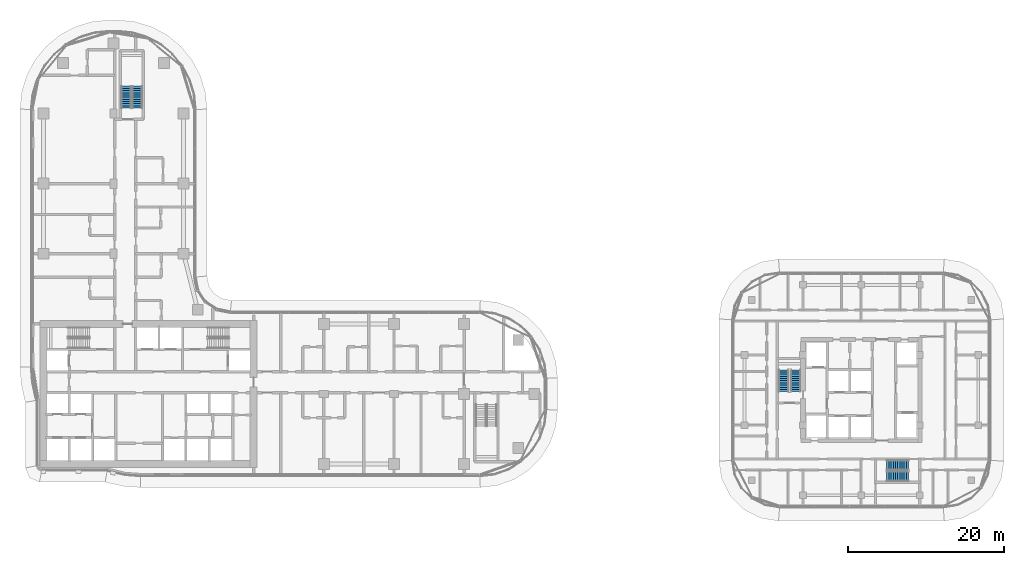
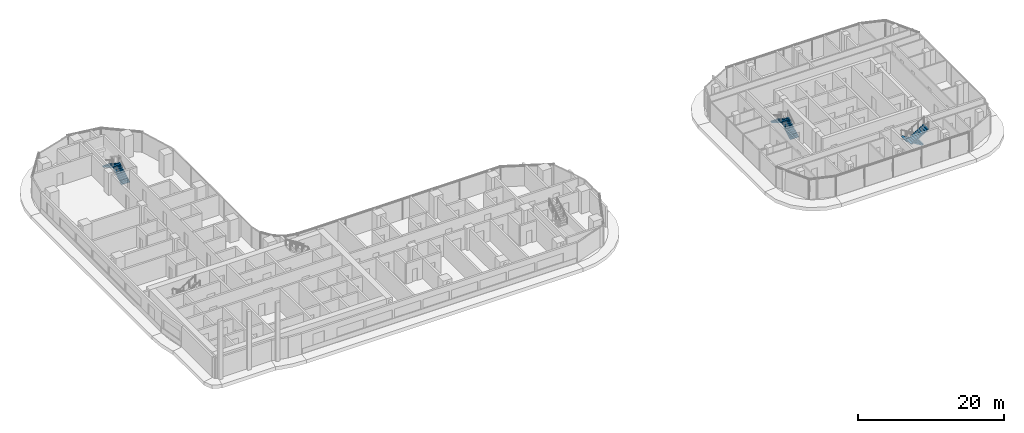
# One storey, part 27 of 36: 6 stair flights, 3 elements without a shape of their own.
"""IFC4 building model written with IfcOpenShell, lengths in metres."""

from ifc_helpers import new_model, si_unit, direction, frame, origin, place, context, subcontext, project, spatial, triangles, source, transform, mapped, material, type_object, element, aggregate, save


model = new_model("IFC4")

# Units and contexts
model_context = context("Model", 3, precision=1e-05, world=origin(), true_north=direction((0.0, 1.0)))
body_context = subcontext(model_context, "Body", "Model", "MODEL_VIEW")
ifc_project = project(units=[si_unit("LENGTHUNIT", "METRE"), si_unit("AREAUNIT", "SQUARE_METRE"), si_unit("VOLUMEUNIT", "CUBIC_METRE"), si_unit("PLANEANGLEUNIT", "RADIAN"), si_unit("MASSUNIT", "GRAM", prefix="KILO")], contexts=[model_context])

# Site, building, storey
site_placement = place(None, origin())
site = spatial("IfcSite", under=ifc_project, at=site_placement, CompositionType="ELEMENT")
building_placement = place(site_placement, origin())
building = spatial("IfcBuilding", under=site, at=building_placement, Name="Ogive Portal Towers", CompositionType="ELEMENT")
storey_placement = place(building_placement, frame((0.0, 0.0, 70.5)))
storey = spatial("IfcBuildingStorey", under=building, at=storey_placement, Name="L16", CompositionType="ELEMENT", Elevation=70.5)

# Stair, stair flights
ifc_material = material(Name="Concrete C40/50", Category="concrete")
stair_type = type_object("IfcStairType", Name="INT-STAIR", PredefinedType="HALF_TURN_STAIR", material=ifc_material)
stair_1_placement = place(storey_placement, origin())
stair_1 = element("IfcStair", 1, at=stair_1_placement, inside=storey, type_object=stair_type, Name="L16 Exit Stair ST-A3", PredefinedType="HALF_TURN_STAIR")
stair_flight_type = type_object("IfcStairFlightType", Name="INT-FLIGHT", PredefinedType="STRAIGHT", material=ifc_material)
shared_shape = source(origin(), body_context, "Body", "Tessellation", [
    triangles([(0.0, -0.650146484375, 0.0), (0.0, -0.376220703125, 0.0), (0.0, -0.192626953125, 0.0), (0.0, -0.081298828125, 0.0), (0.0, -0.024169921875, 0.0), (0.0, -0.003173828125, 0.0), (0.0, 0.0, 0.0), (0.0, 0.0029296875, 0.0), (0.0, 0.02392578125, 0.0), (0.0, 0.0810546875, 0.0), (0.0, 0.1923828125, 0.0), (0.0, 0.3759765625, 0.0), (0.0, 0.64990234375, 0.0), (0.0, -0.650146484375, 0.168212890625), (0.0, -0.376220703125, 0.168212890625), (0.0, -0.192626953125, 0.168212890625), (0.0, -0.081298828125, 0.168212890625), (0.0, -0.024169921875, 0.168212890625), (0.0, -0.003173828125, 0.168212890625), (0.0, 0.0, 0.168212890625), (0.0, 0.0029296875, 0.168212890625), (0.0, 0.02392578125, 0.168212890625), (0.0, 0.0810546875, 0.168212890625), (0.0, 0.1923828125, 0.168212890625), (0.0, 0.3759765625, 0.168212890625), (0.0, 0.64990234375, 0.168212890625), (0.280029296875, -0.650146484375, 0.168212890625), (0.280029296875, -0.376220703125, 0.168212890625), (0.280029296875, -0.192626953125, 0.168212890625), (0.280029296875, -0.081298828125, 0.168212890625), (0.280029296875, -0.024169921875, 0.168212890625), (0.280029296875, -0.003173828125, 0.168212890625), (0.280029296875, 0.0, 0.168212890625), (0.280029296875, 0.0029296875, 0.168212890625), (0.280029296875, 0.02392578125, 0.168212890625), (0.280029296875, 0.0810546875, 0.168212890625), (0.280029296875, 0.1923828125, 0.168212890625), (0.280029296875, 0.3759765625, 0.168212890625), (0.280029296875, 0.64990234375, 0.168212890625), (0.280029296875, -0.650146484375, 0.33642578125), (0.280029296875, -0.376220703125, 0.33642578125), (0.280029296875, -0.192626953125, 0.33642578125), (0.280029296875, -0.081298828125, 0.33642578125), (0.280029296875, -0.024169921875, 0.33642578125), (0.280029296875, -0.003173828125, 0.33642578125), (0.280029296875, 0.0, 0.33642578125), (0.280029296875, 0.0029296875, 0.33642578125), (0.280029296875, 0.02392578125, 0.33642578125), (0.280029296875, 0.0810546875, 0.33642578125), (0.280029296875, 0.1923828125, 0.33642578125), (0.280029296875, 0.3759765625, 0.33642578125), (0.280029296875, 0.64990234375, 0.33642578125), (0.56005859375, -0.650146484375, 0.33642578125), (0.56005859375, -0.376220703125, 0.33642578125), (0.56005859375, -0.192626953125, 0.33642578125), (0.56005859375, -0.081298828125, 0.33642578125), (0.56005859375, -0.024169921875, 0.33642578125), (0.56005859375, -0.003173828125, 0.33642578125), (0.56005859375, 0.0, 0.33642578125), (0.56005859375, 0.0029296875, 0.33642578125), (0.56005859375, 0.02392578125, 0.33642578125), (0.56005859375, 0.0810546875, 0.33642578125), (0.56005859375, 0.1923828125, 0.33642578125), (0.56005859375, 0.3759765625, 0.33642578125), (0.56005859375, 0.64990234375, 0.33642578125), (0.56005859375, -0.650146484375, 0.504638671875), (0.56005859375, -0.376220703125, 0.504638671875), (0.56005859375, -0.192626953125, 0.504638671875), (0.56005859375, -0.081298828125, 0.504638671875), (0.56005859375, -0.024169921875, 0.504638671875), (0.56005859375, -0.003173828125, 0.504638671875), (0.56005859375, 0.0, 0.504638671875), (0.56005859375, 0.0029296875, 0.504638671875), (0.56005859375, 0.02392578125, 0.504638671875), (0.56005859375, 0.0810546875, 0.504638671875), (0.56005859375, 0.1923828125, 0.504638671875), (0.56005859375, 0.3759765625, 0.504638671875), (0.56005859375, 0.64990234375, 0.504638671875), (0.840087890625, -0.650146484375, 0.504638671875), (0.840087890625, -0.376220703125, 0.504638671875), (0.840087890625, -0.192626953125, 0.504638671875), (0.840087890625, -0.081298828125, 0.504638671875), (0.840087890625, -0.024169921875, 0.504638671875), (0.840087890625, -0.003173828125, 0.504638671875), (0.840087890625, 0.0, 0.504638671875), (0.840087890625, 0.0029296875, 0.504638671875), (0.840087890625, 0.02392578125, 0.504638671875), (0.840087890625, 0.0810546875, 0.504638671875), (0.840087890625, 0.1923828125, 0.504638671875), (0.840087890625, 0.3759765625, 0.504638671875), (0.840087890625, 0.64990234375, 0.504638671875), (0.840087890625, -0.650146484375, 0.672607421875), (0.840087890625, -0.376220703125, 0.672607421875), (0.840087890625, -0.192626953125, 0.672607421875), (0.840087890625, -0.081298828125, 0.672607421875), (0.840087890625, -0.024169921875, 0.672607421875), (0.840087890625, -0.003173828125, 0.672607421875), (0.840087890625, 0.0, 0.672607421875), (0.840087890625, 0.0029296875, 0.672607421875), (0.840087890625, 0.02392578125, 0.672607421875), (0.840087890625, 0.0810546875, 0.672607421875), (0.840087890625, 0.1923828125, 0.672607421875), (0.840087890625, 0.3759765625, 0.672607421875), (0.840087890625, 0.64990234375, 0.672607421875), (1.1201171875, -0.650146484375, 0.672607421875), (1.1201171875, -0.376220703125, 0.672607421875), (1.1201171875, -0.192626953125, 0.672607421875), (1.1201171875, -0.081298828125, 0.672607421875), (1.1201171875, -0.024169921875, 0.672607421875), (1.1201171875, -0.003173828125, 0.672607421875), (1.1201171875, 0.0, 0.672607421875), (1.1201171875, 0.0029296875, 0.672607421875), (1.1201171875, 0.02392578125, 0.672607421875), (1.1201171875, 0.0810546875, 0.672607421875), (1.1201171875, 0.1923828125, 0.672607421875), (1.1201171875, 0.3759765625, 0.672607421875), (1.1201171875, 0.64990234375, 0.672607421875), (1.1201171875, -0.650146484375, 0.8408203125), (1.1201171875, -0.376220703125, 0.8408203125), (1.1201171875, -0.192626953125, 0.8408203125), (1.1201171875, -0.081298828125, 0.8408203125), (1.1201171875, -0.024169921875, 0.8408203125), (1.1201171875, -0.003173828125, 0.8408203125), (1.1201171875, 0.0, 0.8408203125), (1.1201171875, 0.0029296875, 0.8408203125), (1.1201171875, 0.02392578125, 0.8408203125), (1.1201171875, 0.0810546875, 0.8408203125), (1.1201171875, 0.1923828125, 0.8408203125), (1.1201171875, 0.3759765625, 0.8408203125), (1.1201171875, 0.64990234375, 0.8408203125), (1.39990234375, -0.650146484375, 0.8408203125), (1.39990234375, -0.376220703125, 0.8408203125), (1.39990234375, -0.192626953125, 0.8408203125), (1.39990234375, -0.081298828125, 0.8408203125), (1.39990234375, -0.024169921875, 0.8408203125), (1.39990234375, -0.003173828125, 0.8408203125), (1.39990234375, 0.0, 0.8408203125), (1.39990234375, 0.0029296875, 0.8408203125), (1.39990234375, 0.02392578125, 0.8408203125), (1.39990234375, 0.0810546875, 0.8408203125), (1.39990234375, 0.1923828125, 0.8408203125), (1.39990234375, 0.3759765625, 0.8408203125), (1.39990234375, 0.64990234375, 0.8408203125), (1.39990234375, -0.650146484375, 1.009033203125), (1.39990234375, -0.376220703125, 1.009033203125), (1.39990234375, -0.192626953125, 1.009033203125), (1.39990234375, -0.081298828125, 1.009033203125), (1.39990234375, -0.024169921875, 1.009033203125), (1.39990234375, -0.003173828125, 1.009033203125), (1.39990234375, 0.0, 1.009033203125), (1.39990234375, 0.0029296875, 1.009033203125), (1.39990234375, 0.02392578125, 1.009033203125), (1.39990234375, 0.0810546875, 1.009033203125), (1.39990234375, 0.1923828125, 1.009033203125), (1.39990234375, 0.3759765625, 1.009033203125), (1.39990234375, 0.64990234375, 1.009033203125), (1.679931640625, -0.650146484375, 1.009033203125), (1.679931640625, -0.376220703125, 1.009033203125), (1.679931640625, -0.192626953125, 1.009033203125), (1.679931640625, -0.081298828125, 1.009033203125), (1.679931640625, -0.024169921875, 1.009033203125), (1.679931640625, -0.003173828125, 1.009033203125), (1.679931640625, 0.0, 1.009033203125), (1.679931640625, 0.0029296875, 1.009033203125), (1.679931640625, 0.02392578125, 1.009033203125), (1.679931640625, 0.0810546875, 1.009033203125), (1.679931640625, 0.1923828125, 1.009033203125), (1.679931640625, 0.3759765625, 1.009033203125), (1.679931640625, 0.64990234375, 1.009033203125), (1.679931640625, -0.650146484375, 1.17724609375), (1.679931640625, -0.376220703125, 1.17724609375), (1.679931640625, -0.192626953125, 1.17724609375), (1.679931640625, -0.081298828125, 1.17724609375), (1.679931640625, -0.024169921875, 1.17724609375), (1.679931640625, -0.003173828125, 1.17724609375), (1.679931640625, 0.0, 1.17724609375), (1.679931640625, 0.0029296875, 1.17724609375), (1.679931640625, 0.02392578125, 1.17724609375), (1.679931640625, 0.0810546875, 1.17724609375), (1.679931640625, 0.1923828125, 1.17724609375), (1.679931640625, 0.3759765625, 1.17724609375), (1.679931640625, 0.64990234375, 1.17724609375), (1.9599609375, -0.650146484375, 1.17724609375), (1.9599609375, -0.376220703125, 1.17724609375), (1.9599609375, -0.192626953125, 1.17724609375), (1.9599609375, -0.081298828125, 1.17724609375), (1.9599609375, -0.024169921875, 1.17724609375), (1.9599609375, -0.003173828125, 1.17724609375), (1.9599609375, 0.0, 1.17724609375), (1.9599609375, 0.0029296875, 1.17724609375), (1.9599609375, 0.02392578125, 1.17724609375), (1.9599609375, 0.0810546875, 1.17724609375), (1.9599609375, 0.1923828125, 1.17724609375), (1.9599609375, 0.3759765625, 1.17724609375), (1.9599609375, 0.64990234375, 1.17724609375), (1.9599609375, -0.650146484375, 1.345458984375), (1.9599609375, -0.376220703125, 1.345458984375), (1.9599609375, -0.192626953125, 1.345458984375), (1.9599609375, -0.081298828125, 1.345458984375), (1.9599609375, -0.024169921875, 1.345458984375), (1.9599609375, -0.003173828125, 1.345458984375), (1.9599609375, 0.0, 1.345458984375), (1.9599609375, 0.0029296875, 1.345458984375), (1.9599609375, 0.02392578125, 1.345458984375), (1.9599609375, 0.0810546875, 1.345458984375), (1.9599609375, 0.1923828125, 1.345458984375), (1.9599609375, 0.3759765625, 1.345458984375), (1.9599609375, 0.64990234375, 1.345458984375), (2.239990234375, -0.650146484375, 1.345458984375), (2.239990234375, -0.376220703125, 1.345458984375), (2.239990234375, -0.192626953125, 1.345458984375), (2.239990234375, -0.081298828125, 1.345458984375), (2.239990234375, -0.024169921875, 1.345458984375), (2.239990234375, -0.003173828125, 1.345458984375), (2.239990234375, 0.0, 1.345458984375), (2.239990234375, 0.0029296875, 1.345458984375), (2.239990234375, 0.02392578125, 1.345458984375), (2.239990234375, 0.0810546875, 1.345458984375), (2.239990234375, 0.1923828125, 1.345458984375), (2.239990234375, 0.3759765625, 1.345458984375), (2.239990234375, 0.64990234375, 1.345458984375), (2.239990234375, -0.650146484375, 1.513671875), (2.239990234375, -0.376220703125, 1.513671875), (2.239990234375, -0.192626953125, 1.513671875), (2.239990234375, -0.081298828125, 1.513671875), (2.239990234375, -0.024169921875, 1.513671875), (2.239990234375, -0.003173828125, 1.513671875), (2.239990234375, 0.0, 1.513671875), (2.239990234375, 0.0029296875, 1.513671875), (2.239990234375, 0.02392578125, 1.513671875), (2.239990234375, 0.0810546875, 1.513671875), (2.239990234375, 0.1923828125, 1.513671875), (2.239990234375, 0.3759765625, 1.513671875), (2.239990234375, 0.64990234375, 1.513671875), (2.52001953125, -0.650146484375, 1.513671875), (2.52001953125, -0.376220703125, 1.513671875), (2.52001953125, -0.192626953125, 1.513671875), (2.52001953125, -0.081298828125, 1.513671875), (2.52001953125, -0.024169921875, 1.513671875), (2.52001953125, -0.003173828125, 1.513671875), (2.52001953125, 0.0, 1.513671875), (2.52001953125, 0.0029296875, 1.513671875), (2.52001953125, 0.02392578125, 1.513671875), (2.52001953125, 0.0810546875, 1.513671875), (2.52001953125, 0.1923828125, 1.513671875), (2.52001953125, 0.3759765625, 1.513671875), (2.52001953125, 0.64990234375, 1.513671875), (2.52001953125, -0.650146484375, 1.681884765625), (2.52001953125, -0.376220703125, 1.681884765625), (2.52001953125, -0.192626953125, 1.681884765625), (2.52001953125, -0.081298828125, 1.681884765625), (2.52001953125, -0.024169921875, 1.681884765625), (2.52001953125, -0.003173828125, 1.681884765625), (2.52001953125, 0.0, 1.681884765625), (2.52001953125, 0.0029296875, 1.681884765625), (2.52001953125, 0.02392578125, 1.681884765625), (2.52001953125, 0.0810546875, 1.681884765625), (2.52001953125, 0.1923828125, 1.681884765625), (2.52001953125, 0.3759765625, 1.681884765625), (2.52001953125, 0.64990234375, 1.681884765625), (2.800048828125, -0.650146484375, 1.681884765625), (2.800048828125, -0.376220703125, 1.681884765625), (2.800048828125, -0.192626953125, 1.681884765625), (2.800048828125, -0.081298828125, 1.681884765625), (2.800048828125, -0.024169921875, 1.681884765625), (2.800048828125, -0.003173828125, 1.681884765625), (2.800048828125, 0.0, 1.681884765625), (2.800048828125, 0.0029296875, 1.681884765625), (2.800048828125, 0.02392578125, 1.681884765625), (2.800048828125, 0.0810546875, 1.681884765625), (2.800048828125, 0.1923828125, 1.681884765625), (2.800048828125, 0.3759765625, 1.681884765625), (2.800048828125, 0.64990234375, 1.681884765625), (2.800048828125, -0.650146484375, 1.5068359375), (2.800048828125, -0.376220703125, 1.5068359375), (2.800048828125, -0.192626953125, 1.5068359375), (2.800048828125, -0.081298828125, 1.5068359375), (2.800048828125, -0.024169921875, 1.5068359375), (2.800048828125, -0.003173828125, 1.5068359375), (2.800048828125, 0.0, 1.5068359375), (2.800048828125, 0.0029296875, 1.5068359375), (2.800048828125, 0.02392578125, 1.5068359375), (2.800048828125, 0.0810546875, 1.5068359375), (2.800048828125, 0.1923828125, 1.5068359375), (2.800048828125, 0.3759765625, 1.5068359375), (2.800048828125, 0.64990234375, 1.5068359375), (0.291015625, -0.650146484375, 0.0), (0.291015625, -0.376220703125, 0.0), (0.291015625, -0.192626953125, 0.0), (0.291015625, -0.081298828125, 0.0), (0.291015625, -0.024169921875, 0.0), (0.291015625, -0.003173828125, 0.0), (0.291015625, 0.0, 0.0), (0.291015625, 0.0029296875, 0.0), (0.291015625, 0.02392578125, 0.0), (0.291015625, 0.0810546875, 0.0), (0.291015625, 0.1923828125, 0.0), (0.291015625, 0.3759765625, 0.0), (0.291015625, 0.64990234375, 0.0)], [[1, 14, 15], [1, 15, 2], [2, 15, 16], [2, 16, 3], [3, 16, 17], [3, 17, 4], [4, 17, 18], [4, 18, 5], [5, 18, 19], [5, 19, 6], [6, 19, 20], [6, 20, 7], [7, 20, 21], [7, 21, 8], [8, 21, 22], [8, 22, 9], [9, 22, 23], [9, 23, 10], [10, 23, 24], [10, 24, 11], [11, 24, 25], [11, 25, 12], [12, 25, 26], [12, 26, 13], [14, 27, 28], [14, 28, 15], [15, 28, 29], [15, 29, 16], [16, 29, 30], [16, 30, 17], [17, 30, 31], [17, 31, 18], [18, 31, 32], [18, 32, 19], [19, 32, 33], [19, 33, 20], [20, 33, 34], [20, 34, 21], [21, 34, 35], [21, 35, 22], [22, 35, 36], [22, 36, 23], [23, 36, 37], [23, 37, 24], [24, 37, 38], [24, 38, 25], [25, 38, 39], [25, 39, 26], [27, 40, 41], [27, 41, 28], [28, 41, 42], [28, 42, 29], [29, 42, 43], [29, 43, 30], [30, 43, 44], [30, 44, 31], [31, 44, 45], [31, 45, 32], [32, 45, 46], [32, 46, 33], [33, 46, 47], [33, 47, 34], [34, 47, 48], [34, 48, 35], [35, 48, 49], [35, 49, 36], [36, 49, 50], [36, 50, 37], [37, 50, 51], [37, 51, 38], [38, 51, 52], [38, 52, 39], [40, 53, 54], [40, 54, 41], [41, 54, 55], [41, 55, 42], [42, 55, 56], [42, 56, 43], [43, 56, 57], [43, 57, 44], [44, 57, 58], [44, 58, 45], [45, 58, 59], [45, 59, 46], [46, 59, 60], [46, 60, 47], [47, 60, 61], [47, 61, 48], [48, 61, 62], [48, 62, 49], [49, 62, 63], [49, 63, 50], [50, 63, 64], [50, 64, 51], [51, 64, 65], [51, 65, 52], [53, 66, 67], [53, 67, 54], [54, 67, 68], [54, 68, 55], [55, 68, 69], [55, 69, 56], [56, 69, 70], [56, 70, 57], [57, 70, 71], [57, 71, 58], [58, 71, 72], [58, 72, 59], [59, 72, 73], [59, 73, 60], [60, 73, 74], [60, 74, 61], [61, 74, 75], [61, 75, 62], [62, 75, 76], [62, 76, 63], [63, 76, 77], [63, 77, 64], [64, 77, 78], [64, 78, 65], [66, 79, 80], [66, 80, 67], [67, 80, 81], [67, 81, 68], [68, 81, 82], [68, 82, 69], [69, 82, 83], [69, 83, 70], [70, 83, 84], [70, 84, 71], [71, 84, 85], [71, 85, 72], [72, 85, 86], [72, 86, 73], [73, 86, 87], [73, 87, 74], [74, 87, 88], [74, 88, 75], [75, 88, 89], [75, 89, 76], [76, 89, 90], [76, 90, 77], [77, 90, 91], [77, 91, 78], [79, 92, 93], [79, 93, 80], [80, 93, 94], [80, 94, 81], [81, 94, 95], [81, 95, 82], [82, 95, 96], [82, 96, 83], [83, 96, 97], [83, 97, 84], [84, 97, 98], [84, 98, 85], [85, 98, 99], [85, 99, 86], [86, 99, 100], [86, 100, 87], [87, 100, 101], [87, 101, 88], [88, 101, 102], [88, 102, 89], [89, 102, 103], [89, 103, 90], [90, 103, 104], [90, 104, 91], [92, 105, 106], [92, 106, 93], [93, 106, 107], [93, 107, 94], [94, 107, 108], [94, 108, 95], [95, 108, 109], [95, 109, 96], [96, 109, 110], [96, 110, 97], [97, 110, 111], [97, 111, 98], [98, 111, 112], [98, 112, 99], [99, 112, 113], [99, 113, 100], [100, 113, 114], [100, 114, 101], [101, 114, 115], [101, 115, 102], [102, 115, 116], [102, 116, 103], [103, 116, 117], [103, 117, 104], [105, 118, 119], [105, 119, 106], [106, 119, 120], [106, 120, 107], [107, 120, 121], [107, 121, 108], [108, 121, 122], [108, 122, 109], [109, 122, 123], [109, 123, 110], [110, 123, 124], [110, 124, 111], [111, 124, 125], [111, 125, 112], [112, 125, 126], [112, 126, 113], [113, 126, 127], [113, 127, 114], [114, 127, 128], [114, 128, 115], [115, 128, 129], [115, 129, 116], [116, 129, 130], [116, 130, 117], [118, 131, 132], [118, 132, 119], [119, 132, 133], [119, 133, 120], [120, 133, 134], [120, 134, 121], [121, 134, 135], [121, 135, 122], [122, 135, 136], [122, 136, 123], [123, 136, 137], [123, 137, 124], [124, 137, 138], [124, 138, 125], [125, 138, 139], [125, 139, 126], [126, 139, 140], [126, 140, 127], [127, 140, 141], [127, 141, 128], [128, 141, 142], [128, 142, 129], [129, 142, 143], [129, 143, 130], [131, 144, 145], [131, 145, 132], [132, 145, 146], [132, 146, 133], [133, 146, 147], [133, 147, 134], [134, 147, 148], [134, 148, 135], [135, 148, 149], [135, 149, 136], [136, 149, 150], [136, 150, 137], [137, 150, 151], [137, 151, 138], [138, 151, 152], [138, 152, 139], [139, 152, 153], [139, 153, 140], [140, 153, 154], [140, 154, 141], [141, 154, 155], [141, 155, 142], [142, 155, 156], [142, 156, 143], [144, 157, 158], [144, 158, 145], [145, 158, 159], [145, 159, 146], [146, 159, 160], [146, 160, 147], [147, 160, 161], [147, 161, 148], [148, 161, 162], [148, 162, 149], [149, 162, 163], [149, 163, 150], [150, 163, 164], [150, 164, 151], [151, 164, 165], [151, 165, 152], [152, 165, 166], [152, 166, 153], [153, 166, 167], [153, 167, 154], [154, 167, 168], [154, 168, 155], [155, 168, 169], [155, 169, 156], [157, 170, 171], [157, 171, 158], [158, 171, 172], [158, 172, 159], [159, 172, 173], [159, 173, 160], [160, 173, 174], [160, 174, 161], [161, 174, 175], [161, 175, 162], [162, 175, 176], [162, 176, 163], [163, 176, 177], [163, 177, 164], [164, 177, 178], [164, 178, 165], [165, 178, 179], [165, 179, 166], [166, 179, 180], [166, 180, 167], [167, 180, 181], [167, 181, 168], [168, 181, 182], [168, 182, 169], [170, 183, 184], [170, 184, 171], [171, 184, 185], [171, 185, 172], [172, 185, 186], [172, 186, 173], [173, 186, 187], [173, 187, 174], [174, 187, 188], [174, 188, 175], [175, 188, 189], [175, 189, 176], [176, 189, 190], [176, 190, 177], [177, 190, 191], [177, 191, 178], [178, 191, 192], [178, 192, 179], [179, 192, 193], [179, 193, 180], [180, 193, 194], [180, 194, 181], [181, 194, 195], [181, 195, 182], [183, 196, 197], [183, 197, 184], [184, 197, 198], [184, 198, 185], [185, 198, 199], [185, 199, 186], [186, 199, 200], [186, 200, 187], [187, 200, 201], [187, 201, 188], [188, 201, 202], [188, 202, 189], [189, 202, 203], [189, 203, 190], [190, 203, 204], [190, 204, 191], [191, 204, 205], [191, 205, 192], [192, 205, 206], [192, 206, 193], [193, 206, 207], [193, 207, 194], [194, 207, 208], [194, 208, 195], [196, 209, 210], [196, 210, 197], [197, 210, 211], [197, 211, 198], [198, 211, 212], [198, 212, 199], [199, 212, 213], [199, 213, 200], [200, 213, 214], [200, 214, 201], [201, 214, 215], [201, 215, 202], [202, 215, 216], [202, 216, 203], [203, 216, 217], [203, 217, 204], [204, 217, 218], [204, 218, 205], [205, 218, 219], [205, 219, 206], [206, 219, 220], [206, 220, 207], [207, 220, 221], [207, 221, 208], [209, 222, 223], [209, 223, 210], [210, 223, 224], [210, 224, 211], [211, 224, 225], [211, 225, 212], [212, 225, 226], [212, 226, 213], [213, 226, 227], [213, 227, 214], [214, 227, 228], [214, 228, 215], [215, 228, 229], [215, 229, 216], [216, 229, 230], [216, 230, 217], [217, 230, 231], [217, 231, 218], [218, 231, 232], [218, 232, 219], [219, 232, 233], [219, 233, 220], [220, 233, 234], [220, 234, 221], [222, 235, 236], [222, 236, 223], [223, 236, 237], [223, 237, 224], [224, 237, 238], [224, 238, 225], [225, 238, 239], [225, 239, 226], [226, 239, 240], [226, 240, 227], [227, 240, 241], [227, 241, 228], [228, 241, 242], [228, 242, 229], [229, 242, 243], [229, 243, 230], [230, 243, 244], [230, 244, 231], [231, 244, 245], [231, 245, 232], [232, 245, 246], [232, 246, 233], [233, 246, 247], [233, 247, 234], [235, 248, 249], [235, 249, 236], [236, 249, 250], [236, 250, 237], [237, 250, 251], [237, 251, 238], [238, 251, 252], [238, 252, 239], [239, 252, 253], [239, 253, 240], [240, 253, 254], [240, 254, 241], [241, 254, 255], [241, 255, 242], [242, 255, 256], [242, 256, 243], [243, 256, 257], [243, 257, 244], [244, 257, 258], [244, 258, 245], [245, 258, 259], [245, 259, 246], [246, 259, 260], [246, 260, 247], [248, 261, 262], [248, 262, 249], [249, 262, 263], [249, 263, 250], [250, 263, 264], [250, 264, 251], [251, 264, 265], [251, 265, 252], [252, 265, 266], [252, 266, 253], [253, 266, 267], [253, 267, 254], [254, 267, 268], [254, 268, 255], [255, 268, 269], [255, 269, 256], [256, 269, 270], [256, 270, 257], [257, 270, 271], [257, 271, 258], [258, 271, 272], [258, 272, 259], [259, 272, 273], [259, 273, 260], [261, 274, 275], [261, 275, 262], [262, 275, 276], [262, 276, 263], [263, 276, 277], [263, 277, 264], [264, 277, 278], [264, 278, 265], [265, 278, 279], [265, 279, 266], [266, 279, 280], [266, 280, 267], [267, 280, 281], [267, 281, 268], [268, 281, 282], [268, 282, 269], [269, 282, 283], [269, 283, 270], [270, 283, 284], [270, 284, 271], [271, 284, 285], [271, 285, 272], [272, 285, 286], [272, 286, 273], [274, 287, 288], [274, 288, 275], [275, 288, 289], [275, 289, 276], [276, 289, 290], [276, 290, 277], [277, 290, 291], [277, 291, 278], [278, 291, 292], [278, 292, 279], [279, 292, 293], [279, 293, 280], [280, 293, 294], [280, 294, 281], [281, 294, 295], [281, 295, 282], [282, 295, 296], [282, 296, 283], [283, 296, 297], [283, 297, 284], [284, 297, 298], [284, 298, 285], [285, 298, 299], [285, 299, 286], [287, 1, 2], [287, 2, 288], [288, 2, 3], [288, 3, 289], [289, 3, 4], [289, 4, 290], [290, 4, 5], [290, 5, 291], [291, 5, 6], [291, 6, 292], [292, 6, 7], [292, 7, 293], [293, 7, 8], [293, 8, 294], [294, 8, 9], [294, 9, 295], [295, 9, 10], [295, 10, 296], [296, 10, 11], [296, 11, 297], [297, 11, 12], [297, 12, 298], [298, 12, 13], [298, 13, 299], [1, 287, 274], [13, 286, 299], [274, 261, 248], [286, 260, 273], [274, 248, 235], [286, 247, 260], [274, 235, 222], [286, 234, 247], [274, 222, 209], [286, 221, 234], [209, 196, 183], [221, 195, 208], [274, 209, 183], [286, 195, 221], [183, 170, 157], [195, 169, 182], [274, 183, 157], [286, 169, 195], [157, 144, 131], [169, 143, 156], [274, 157, 131], [286, 143, 169], [131, 118, 105], [143, 117, 130], [274, 131, 105], [286, 117, 143], [1, 274, 105], [13, 117, 286], [105, 92, 79], [117, 91, 104], [79, 66, 53], [91, 65, 78], [105, 79, 53], [117, 65, 91], [53, 40, 27], [65, 39, 52], [105, 53, 27], [117, 39, 65], [1, 105, 27], [13, 39, 117], [27, 14, 1], [39, 13, 26]], closed=True),
])
stair_flight_1_placement = place(storey_placement, frame((43.550048828125, 67.199951171875, 0.0), z_axis=(0.0, 0.0, 1.0), x_axis=(0.0, 1.0, 0.0)))
stair_flight_1 = element("IfcStairFlight", 2, at=stair_flight_1_placement, type_object=stair_flight_type, Name="ST-A3 flight 1", NumberOfRisers=11, NumberOfTreads=10, PredefinedType="STRAIGHT", RiserHeight=0.168181818, TreadLength=0.28, context=body_context, shape_type="MappedRepresentation", body=[
    mapped(shared_shape, transform((0.0, 0.0, 0.0), scale=1.0)),
])
stair_flight_2_placement = place(storey_placement, frame((42.14990234375, 70.0, 1.85009765625), z_axis=(0.0, 0.0, 1.0), x_axis=(0.0, -1.0, 0.0)))
stair_flight_2 = element("IfcStairFlight", 3, at=stair_flight_2_placement, type_object=stair_flight_type, Name="ST-A3 flight 2", NumberOfRisers=11, NumberOfTreads=10, PredefinedType="STRAIGHT", RiserHeight=0.168181818, TreadLength=0.28, context=body_context, shape_type="MappedRepresentation", body=[
    mapped(shared_shape, transform((0.0, 0.0, 0.0), scale=1.0)),
])
aggregate(stair_1, [stair_flight_1, stair_flight_2])

stair_2_placement = place(storey_placement, origin())
stair_2 = element("IfcStair", 4, at=stair_2_placement, inside=storey, type_object=stair_type, Name="L16 Exit Stair ST-B1", PredefinedType="HALF_TURN_STAIR")
stair_flight_3_placement = place(storey_placement, frame((128.050048828125, 30.800048828125, 0.0), z_axis=(0.0, 0.0, 1.0), x_axis=(0.0, 1.0, 0.0)))
stair_flight_3 = element("IfcStairFlight", 5, at=stair_flight_3_placement, type_object=stair_flight_type, Name="ST-B1 flight 1", NumberOfRisers=11, NumberOfTreads=10, PredefinedType="STRAIGHT", RiserHeight=0.168181818, TreadLength=0.28, context=body_context, shape_type="MappedRepresentation", body=[
    mapped(shared_shape, transform((0.0, 0.0, 0.0), scale=1.0)),
])
stair_flight_4_placement = place(storey_placement, frame((126.5, 33.60009765625, 1.85009765625), z_axis=(0.0, 0.0, 1.0), x_axis=(0.0, -1.0, 0.0)))
stair_flight_4 = element("IfcStairFlight", 6, at=stair_flight_4_placement, type_object=stair_flight_type, Name="ST-B1 flight 2", NumberOfRisers=11, NumberOfTreads=10, PredefinedType="STRAIGHT", RiserHeight=0.168181818, TreadLength=0.28, context=body_context, shape_type="MappedRepresentation", body=[
    mapped(shared_shape, transform((0.0, 0.0, 0.0), scale=1.0)),
])
aggregate(stair_2, [stair_flight_3, stair_flight_4])

stair_3_placement = place(storey_placement, origin())
stair_3 = element("IfcStair", 7, at=stair_3_placement, inside=storey, type_object=stair_type, Name="L16 Exit Stair ST-B2", PredefinedType="HALF_TURN_STAIR")
stair_flight_5_placement = place(storey_placement, frame((142.550048828125, 21.35009765625, 0.0), z_axis=(0.0, 0.0, 1.0), x_axis=(-1.0, 0.0, 0.0)))
stair_flight_5 = element("IfcStairFlight", 8, at=stair_flight_5_placement, type_object=stair_flight_type, Name="ST-B2 flight 1", NumberOfRisers=11, NumberOfTreads=10, PredefinedType="STRAIGHT", RiserHeight=0.168181818, TreadLength=0.28, context=body_context, shape_type="MappedRepresentation", body=[
    mapped(shared_shape, transform((0.0, 0.0, 0.0), scale=1.0)),
])
stair_flight_6_placement = place(storey_placement, frame((139.75, 19.949951171875, 1.85009765625), z_axis=(0.0, 0.0, 1.0), x_axis=(1.0, 0.0, 0.0)))
stair_flight_6 = element("IfcStairFlight", 9, at=stair_flight_6_placement, type_object=stair_flight_type, Name="ST-B2 flight 2", NumberOfRisers=11, NumberOfTreads=10, PredefinedType="STRAIGHT", RiserHeight=0.168181818, TreadLength=0.28, context=body_context, shape_type="MappedRepresentation", body=[
    mapped(shared_shape, transform((0.0, 0.0, 0.0), scale=1.0)),
])
aggregate(stair_3, [stair_flight_5, stair_flight_6])

save(model, "model.ifc")
